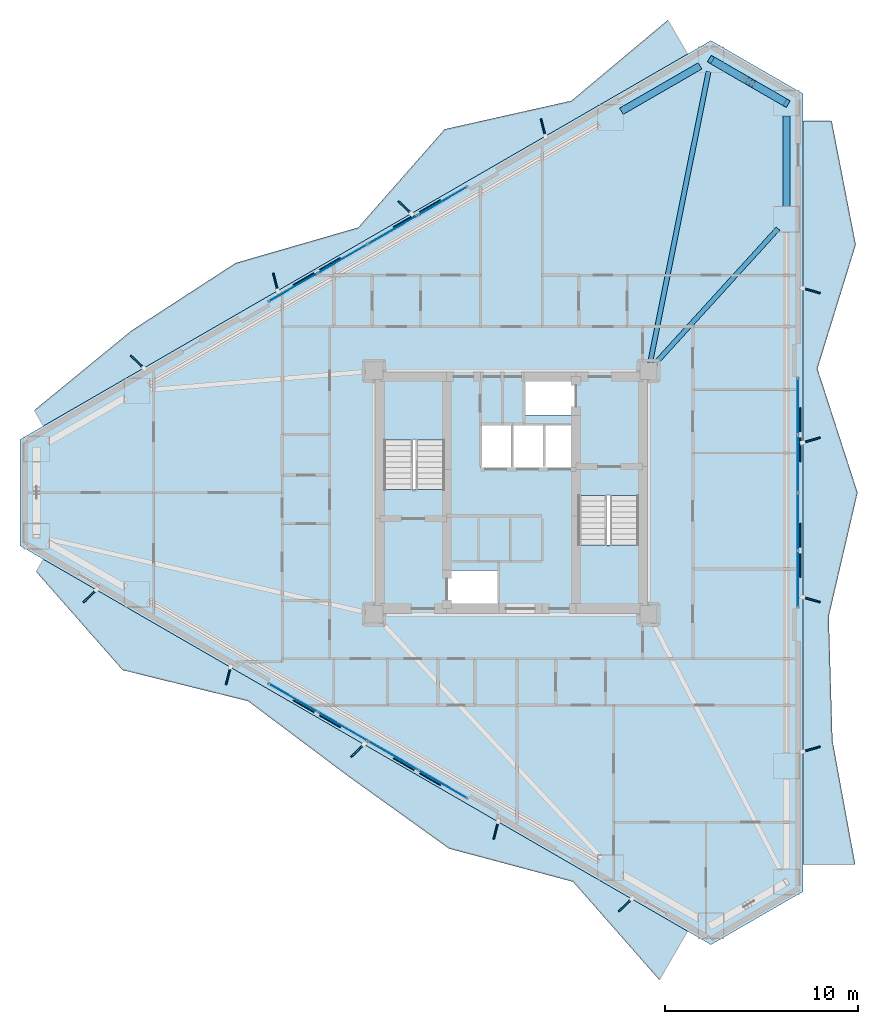
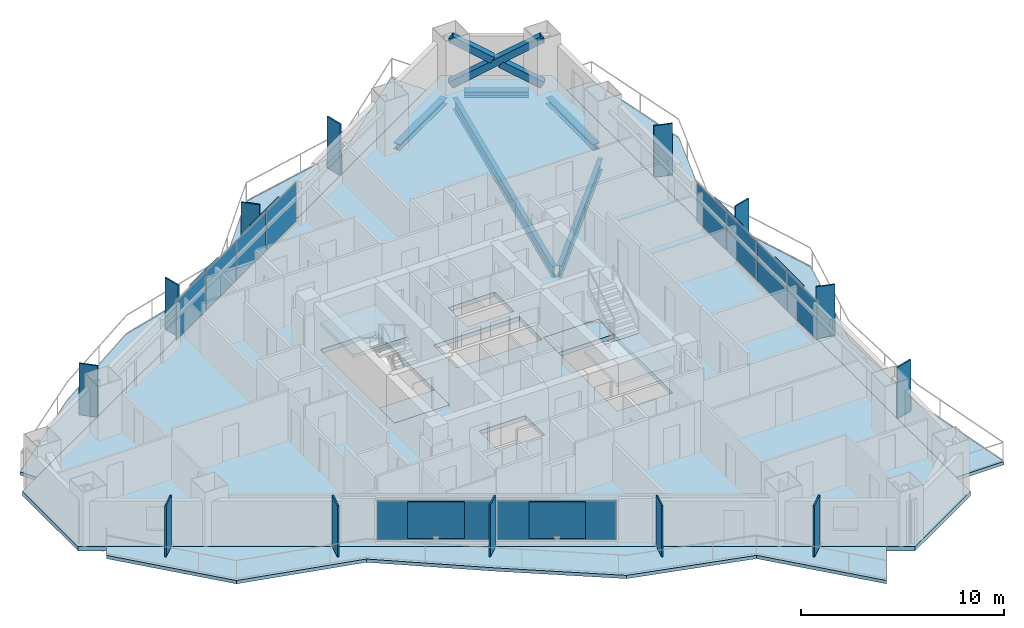
# One storey, part 10 of 19: 31 plates, 8 slabs, 5 beams, 3 members, 5 elements without a shape of their own.
"""IFC4 building model written with IfcOpenShell, lengths in metres."""

import ifcopenshell
import ifcopenshell.guid

model = None  # the IFC model being written
_history = None  # IfcOwnerHistory: only IFC2X3 demands one
_inside = {}  # id of a spatial element -> (the spatial element, [elements in it])
_under = {}  # id of a project, library or spatial element -> (it, [spatial elements below it])
_declared = {}  # id of a project -> (the project, [libraries it declares])
_typed = {}  # id of a type object -> (the type object, [elements of that type])
_made_of = {}  # id of a material, layer set ... -> (it, [elements and type objects made of it])


def new_model(schema):
    """Start an empty IFC model of exactly this schema.

    Asked for "IFC4X3", IfcOpenShell would pick the latest addendum, in which some entities
    have other attributes; the version numbers below select the first issue.
    IFC2X3 requires an IfcOwnerHistory on every rooted entity: one is made here for all.
    """
    global model, _history
    if schema == "IFC4X3":
        model = ifcopenshell.file(schema_version=(4, 3, 0, 0))
    else:
        model = ifcopenshell.file(schema=schema)
    _inside.clear()
    _under.clear()
    _declared.clear()
    _typed.clear()
    _made_of.clear()
    _history = None
    if model.schema == "IFC2X3":
        org = make("IfcOrganization", Name="unknown")
        user = make(
            "IfcPersonAndOrganization",
            ThePerson=make("IfcPerson", FamilyName="unknown"),
            TheOrganization=org,
        )
        app = make(
            "IfcApplication",
            ApplicationDeveloper=org,
            Version="unknown",
            ApplicationFullName="unknown",
            ApplicationIdentifier="unknown",
        )
        _history = make(
            "IfcOwnerHistory",
            OwningUser=user,
            OwningApplication=app,
            ChangeAction="ADDED",
            CreationDate=0,
        )
    return model


def make(cls, **values):
    """One entity of the class cls with the attributes given. An attribute that is None is left unset."""
    return model.create_entity(
        cls, **{name: value for name, value in values.items() if value is not None}
    )


def rooted(cls, **values):
    """An entity with a GlobalId (a new one), such as an element, a storey or a relation."""
    return make(cls, GlobalId=ifcopenshell.guid.new(), OwnerHistory=_history, **values)


def si_unit(unit_type, name, prefix=None):
    """IfcSIUnit, for example si_unit("LENGTHUNIT", "METRE", prefix="MILLI")."""
    return make("IfcSIUnit", UnitType=unit_type, Prefix=prefix, Name=name)


def assignment(units):
    """IfcUnitAssignment: the units of a project."""
    return None if units is None else make("IfcUnitAssignment", Units=units)


def point(xyz):
    """IfcCartesianPoint."""
    return None if xyz is None else make("IfcCartesianPoint", Coordinates=xyz)


def direction(xyz):
    """IfcDirection."""
    return None if xyz is None else make("IfcDirection", DirectionRatios=xyz)


def frame(location, z_axis=None, x_axis=None):
    """IfcAxis2Placement3D, a coordinate frame: its origin and axes. An axis left out is left unset."""
    return make(
        "IfcAxis2Placement3D",
        Location=point(location),
        Axis=direction(z_axis),
        RefDirection=direction(x_axis),
    )


def frame_2d(location, x_axis=None):
    """IfcAxis2Placement2D, a coordinate frame in the plane: its origin and x axis."""
    return make(
        "IfcAxis2Placement2D", Location=point(location), RefDirection=direction(x_axis)
    )


def origin():
    """The frame at (0, 0, 0) with its axes left unset."""
    return frame((0.0, 0.0, 0.0))


def origin_2d():
    """The frame at (0, 0) in the plane with its x axis left unset."""
    return frame_2d((0.0, 0.0))


def place(relative_to, where):
    """IfcLocalPlacement: puts the frame where relative to a parent placement (None: the world)."""
    return make(
        "IfcLocalPlacement", PlacementRelTo=relative_to, RelativePlacement=where
    )


def context(
    kind, dimensions, precision=None, world=None, true_north=None, identifier=None
):
    """IfcGeometricRepresentationContext, for example the 3D "Model" context."""
    return make(
        "IfcGeometricRepresentationContext",
        ContextIdentifier=identifier,
        ContextType=kind,
        CoordinateSpaceDimension=dimensions,
        Precision=precision,
        WorldCoordinateSystem=world,
        TrueNorth=true_north,
    )


def subcontext(parent, identifier, kind, view, scale=None):
    """IfcGeometricRepresentationSubContext, for example "Body" below "Model"."""
    return make(
        "IfcGeometricRepresentationSubContext",
        ContextIdentifier=identifier,
        ContextType=kind,
        ParentContext=parent,
        TargetScale=scale,
        TargetView=view,
    )


def project(units=None, contexts=None):
    """IfcProject with its units and contexts."""
    return rooted(
        "IfcProject",
        Name="project",
        RepresentationContexts=contexts,
        UnitsInContext=assignment(units),
    )


def spatial(cls, under=None, at=None, **own):
    """A site, building, storey or space (cls), placed at a placement, below another one or the project."""
    s = rooted(cls, ObjectPlacement=at, **own)
    if under is not None:
        _under.setdefault(under.id(), (under, []))[1].append(s)
    return s


def polyline(points):
    """IfcPolyline through the points."""
    return make("IfcPolyline", Points=[point(p) for p in points])


def profile(cls, at=None, kind="AREA", **sizes):
    """A parametric profile (cls). Its sizes go by their IFC names, for example OverallWidth=200.0."""
    return make(cls, ProfileType=kind, Position=at, **sizes)


def rectangle(**sizes):
    """IfcRectangleProfileDef."""
    return profile("IfcRectangleProfileDef", **sizes)


def hollow_rectangle(**sizes):
    """IfcRectangleHollowProfileDef."""
    return profile("IfcRectangleHollowProfileDef", **sizes)


def i_section(**sizes):
    """IfcIShapeProfileDef."""
    return profile("IfcIShapeProfileDef", **sizes)


def outline(outer, holes=None, kind="AREA"):
    """IfcArbitraryClosedProfileDef: a profile drawn as a closed curve; with holes, ...WithVoids."""
    if holes is None:
        return make("IfcArbitraryClosedProfileDef", ProfileType=kind, OuterCurve=outer)
    return make(
        "IfcArbitraryProfileDefWithVoids",
        ProfileType=kind,
        OuterCurve=outer,
        InnerCurves=holes,
    )


def extrude(swept, where, along, depth):
    """IfcExtrudedAreaSolid: the profile swept, set in the frame where, extruded along a direction by depth."""
    return make(
        "IfcExtrudedAreaSolid",
        SweptArea=swept,
        Position=where,
        ExtrudedDirection=direction(along),
        Depth=depth,
    )


def shape(context_of_items, identifier, shape_type, items):
    """IfcShapeRepresentation: the items that make up one representation, for example the "Body"."""
    return make(
        "IfcShapeRepresentation",
        ContextOfItems=context_of_items,
        RepresentationIdentifier=identifier,
        RepresentationType=shape_type,
        Items=items,
    )


def material(Name=None, Category=None):
    """IfcMaterial."""
    return make("IfcMaterial", Name=Name, Category=Category)


def layer(
    of_material, thickness, ventilated=None, Name=None, Category=None, Priority=None
):
    """IfcMaterialLayer: one layer of a wall or slab, of a material (None: an air gap)."""
    return make(
        "IfcMaterialLayer",
        Material=of_material,
        LayerThickness=thickness,
        IsVentilated=ventilated,
        Name=Name,
        Category=Category,
        Priority=Priority,
    )


def layer_set(layers, Name=None):
    """IfcMaterialLayerSet."""
    return make("IfcMaterialLayerSet", MaterialLayers=layers, LayerSetName=Name)


def material_profile(
    of_material, cross_section, Name=None, Category=None, Priority=None
):
    """IfcMaterialProfile: a cross section and its material."""
    return make(
        "IfcMaterialProfile",
        Name=Name,
        Material=of_material,
        Profile=cross_section,
        Priority=Priority,
        Category=Category,
    )


def profile_set(profiles, Name=None, composite=None):
    """IfcMaterialProfileSet."""
    return make(
        "IfcMaterialProfileSet",
        Name=Name,
        MaterialProfiles=profiles,
        CompositeProfile=composite,
    )


def made_of(thing, what):
    """Note that an element or type object is made of a material, layer set ...; save() writes the relation."""
    if what is not None:
        _made_of.setdefault(what.id(), (what, []))[1].append(thing)
    return thing


def type_object(cls, material=None, **own):
    """A type object (cls), such as IfcWallType, which elements share."""
    return made_of(rooted(cls, **own), material)


def element(
    cls,
    number,
    at=None,
    inside=None,
    cuts=None,
    type_object=None,
    material=None,
    context=None,
    identifier="Body",
    shape_type=None,
    held_by="IfcProductDefinitionShape",
    body=None,
    shapes=None,
    **own,
):
    """One element of the class cls, such as IfcWall. Its Tag is "e" and its number.

    at: its placement. inside: the storey or other place that contains it. cuts: it is an
    opening in that element (IfcRelVoidsElement). A single representation is given by context,
    identifier, shape_type and body (its items); several are given by shapes. held_by: the class
    of the entity that holds the representations. save() writes the other relations.
    """
    e = rooted(cls, Tag="e%d" % number, ObjectPlacement=at, **own)
    if body is not None:
        shapes = [shape(context, identifier, shape_type, body)]
    if shapes is not None:
        e.Representation = make(held_by, Representations=shapes)
    if inside is not None:
        _inside.setdefault(inside.id(), (inside, []))[1].append(e)
    if cuts is not None:
        rooted(
            "IfcRelVoidsElement", RelatingBuildingElement=cuts, RelatedOpeningElement=e
        )
    if type_object is not None:
        _typed.setdefault(type_object.id(), (type_object, []))[1].append(e)
    return made_of(e, material)


def aggregate(whole, parts):
    """IfcRelAggregates: a whole, such as a stair, and the parts it consists of."""
    return rooted("IfcRelAggregates", RelatingObject=whole, RelatedObjects=parts)


def save(model, path):
    """Write the relations noted so far, then the file.

    IfcRelAggregates (storeys below a building ...), IfcRelContainedInSpatialStructure (elements
    in a storey), IfcRelDefinesByType, IfcRelAssociatesMaterial and IfcRelDeclares: one each for
    every whole, place, type object, material and project.
    """
    for whole, parts in _under.values():
        aggregate(whole, parts)
    for where, things in _inside.values():
        rooted(
            "IfcRelContainedInSpatialStructure",
            RelatedElements=things,
            RelatingStructure=where,
        )
    for kind, things in _typed.values():
        rooted("IfcRelDefinesByType", RelatedObjects=things, RelatingType=kind)
    for what, things in _made_of.values():
        rooted("IfcRelAssociatesMaterial", RelatedObjects=things, RelatingMaterial=what)
    for by, libraries in _declared.values():
        rooted("IfcRelDeclares", RelatingContext=by, RelatedDefinitions=libraries)
    model.write(path)


model = new_model("IFC4")

# Units and contexts
model_context = context("Model", 3, precision=1e-05, world=origin(), true_north=direction((0.0, 1.0)))
body_context = subcontext(model_context, "Body", "Model", "MODEL_VIEW")
ifc_project = project(units=[si_unit("LENGTHUNIT", "METRE"), si_unit("AREAUNIT", "SQUARE_METRE"), si_unit("VOLUMEUNIT", "CUBIC_METRE"), si_unit("PLANEANGLEUNIT", "RADIAN"), si_unit("MASSUNIT", "GRAM", prefix="KILO")], contexts=[model_context])

# Site, building, storey
site_placement = place(None, origin())
site = spatial("IfcSite", under=ifc_project, at=site_placement, CompositionType="ELEMENT")
building_placement = place(site_placement, origin())
building = spatial("IfcBuilding", under=site, at=building_placement, Name="Mersakhor Tower and Convention Hall", CompositionType="ELEMENT")
storey_placement = place(building_placement, frame((0.0, 0.0, 48.89990234375)))
storey = spatial("IfcBuildingStorey", under=building, at=storey_placement, Name="L13", CompositionType="ELEMENT", Elevation=48.89990234375)

# Beams
ifc_material_1 = material(Name="Steel S355", Category="steel")
ifc_material_profile_1 = material_profile(ifc_material_1, i_section(OverallWidth=0.25439453125, OverallDepth=0.6875, WebThickness=0.01318359375, FlangeThickness=0.02099609375, at=origin_2d()), Name="UB 686x254x152")
ifc_profile_set_1 = profile_set([ifc_material_profile_1], Name="Steel S355")
beam_type_1 = type_object("IfcBeamType", Name="BM-PR-686", PredefinedType="BEAM", material=ifc_profile_set_1)
beam_1_placement = place(storey_placement, frame((36.1845703125, 33.4716796875, -0.603515625), z_axis=(0.196849718138, 0.980433673672, 0.0), x_axis=(-0.980433673672, 0.196849718138, 0.0)))
element("IfcBeam", 1, at=beam_1_placement, inside=storey, type_object=beam_type_1, Name="L13 Primary Floor Girder FG-2", PredefinedType="BEAM", context=body_context, shape_type="SweptSolid", body=[
    extrude(i_section(OverallWidth=0.25439453125, OverallDepth=0.6875, WebThickness=0.01318359375, FlangeThickness=0.02099609375, at=origin_2d()), origin(), (0.0, 0.0, 1.0), 15.359130859375),
])
beam_2_placement = place(storey_placement, frame((36.389404296875, 33.367919921875, -0.603515625), z_axis=(0.67316322447, 0.739493930483, 0.0), x_axis=(-0.739493930483, 0.67316322447, 0.0)))
element("IfcBeam", 2, at=beam_2_placement, inside=storey, type_object=beam_type_1, Name="L13 Primary Floor Girder FG-3", PredefinedType="BEAM", context=body_context, shape_type="SweptSolid", body=[
    extrude(i_section(OverallWidth=0.25439453125, OverallDepth=0.6875, WebThickness=0.01318359375, FlangeThickness=0.02099609375, at=origin_2d()), origin(), (0.0, 0.0, 1.0), 9.53662109375),
])
ifc_material_2 = material(Name="Steel S355", Category="steel")
ifc_material_profile_2 = material_profile(ifc_material_2, i_section(OverallWidth=0.374755859375, OverallDepth=0.37451171875, WebThickness=0.0166015625, FlangeThickness=0.027099609375, at=origin_2d()), Name="UC 356x368x202")
ifc_profile_set_2 = profile_set([ifc_material_profile_2], Name="Steel S355")
beam_type_2 = type_object("IfcBeamType", Name="BM-SPD-UC356", PredefinedType="SPANDREL", material=ifc_profile_set_2)
beam_3_placement = place(storey_placement, frame((34.700439453125, 46.49560546875, -0.447265625), z_axis=(0.866031574723, 0.499989311469, 0.0), x_axis=(-0.499989311469, 0.866031574723, 0.0)))
element("IfcBeam", 3, at=beam_3_placement, inside=storey, type_object=beam_type_2, Name="L13 Perimeter Spandrel Beam SPB-03", PredefinedType="SPANDREL", context=body_context, shape_type="SweptSolid", body=[
    extrude(i_section(OverallWidth=0.374755859375, OverallDepth=0.37451171875, WebThickness=0.0166015625, FlangeThickness=0.027099609375, at=origin_2d()), origin(), (0.0, 0.0, 1.0), 4.69873046875),
])
beam_4_placement = place(storey_placement, frame((39.904052734375, 48.844970703125, -0.447265625), z_axis=(0.866038607556, -0.4999771297, 0.0), x_axis=(0.4999771297, 0.866038607556, 0.0)))
element("IfcBeam", 4, at=beam_4_placement, inside=storey, type_object=beam_type_2, Name="L13 Perimeter Spandrel Beam SPB-04", PredefinedType="SPANDREL", context=body_context, shape_type="SweptSolid", body=[
    extrude(i_section(OverallWidth=0.374755859375, OverallDepth=0.37451171875, WebThickness=0.0166015625, FlangeThickness=0.027099609375, at=origin_2d()), origin(), (0.0, 0.0, 1.0), 3.208740234375),
])
beam_5_placement = place(storey_placement, frame((43.25, 46.25830078125, -0.447265625), z_axis=(0.0, -1.0, 0.0), x_axis=(1.0, 0.0, 0.0)))
element("IfcBeam", 5, at=beam_5_placement, inside=storey, type_object=beam_type_2, Name="L13 Perimeter Spandrel Beam SPB-05", PredefinedType="SPANDREL", context=body_context, shape_type="SweptSolid", body=[
    extrude(i_section(OverallWidth=0.374755859375, OverallDepth=0.37451171875, WebThickness=0.0166015625, FlangeThickness=0.027099609375, at=origin_2d()), origin(), (0.0, 0.0, 1.0), 4.69873046875),
])

# Members
ifc_material_3 = material(Name="Steel S460", Category="steel")
ifc_material_profile_3 = material_profile(ifc_material_3, hollow_rectangle(XDim=0.39990234375, YDim=0.39990234375, WallThickness=0.02490234375, at=origin_2d()), Name="SHS 400x400x25")
ifc_profile_set_3 = profile_set([ifc_material_profile_3], Name="Steel S460")
member_type = type_object("IfcMemberType", Name="MB-BRC-SHS400", PredefinedType="BRACE", material=ifc_profile_set_3)
member_1_placement = place(storey_placement, frame((39.3369140625, 49.172607421875, 0.150146484375), z_axis=(0.740507772322, -0.427542982597, 0.518512523632), x_axis=(0.500009315796, 0.86602002524, 0.0)))
element("IfcMember", 6, at=member_1_placement, inside=storey, type_object=member_type, Name="L13 Chamfer Braced Frame Diagonal CB-1A", PredefinedType="BRACE", context=body_context, shape_type="SweptSolid", body=[
    extrude(hollow_rectangle(XDim=0.39990234375, YDim=0.39990234375, WallThickness=0.02490234375, at=origin_2d()), origin(), (0.0, 0.0, 1.0), 5.284423828125),
])
member_2_placement = place(storey_placement, frame((43.25, 46.913330078125, 0.150146484375), z_axis=(-0.740544200614, 0.427541122117, 0.51846202931), x_axis=(-0.499989236795, -0.866031617834, 0.0)))
element("IfcMember", 7, at=member_2_placement, inside=storey, type_object=member_type, Name="L13 Chamfer Braced Frame Diagonal CB-1B Lower Half", PredefinedType="BRACE", context=body_context, shape_type="SweptSolid", body=[
    extrude(hollow_rectangle(XDim=0.39990234375, YDim=0.39990234375, WallThickness=0.02490234375, at=origin_2d()), origin(), (0.0, 0.0, 1.0), 2.40869140625),
])
member_3_placement = place(storey_placement, frame((41.12060546875, 48.142578125, 1.64111328125), z_axis=(-0.740473193976, 0.427601478974, 0.51851366827), x_axis=(-0.500078132948, -0.865980289006, 0.0)))
element("IfcMember", 8, at=member_3_placement, inside=storey, type_object=member_type, Name="L13 Chamfer Braced Frame Diagonal CB-1B Upper Half", PredefinedType="BRACE", context=body_context, shape_type="SweptSolid", body=[
    extrude(hollow_rectangle(XDim=0.39990234375, YDim=0.39990234375, WallThickness=0.02490234375, at=origin_2d()), origin(), (0.0, 0.0, 1.0), 2.408935546875),
])

# Curtain wall, plates
ifc_material_4 = material(Name="Dark solar low-E aluminium curtain wall", Category="aluminium")
ifc_layer_1 = layer(ifc_material_4, 0.159912109375)
ifc_layer_set_1 = layer_set([ifc_layer_1], Name="Dark solar low-E aluminium curtain wall")
curtain_wall_type = type_object("IfcCurtainWallType", Name="CW-SYS-01", PredefinedType="USERDEFINED", material=ifc_layer_set_1)
curtain_wall_1_placement = place(storey_placement, origin())
curtain_wall_1 = element("IfcCurtainWall", 9, at=curtain_wall_1_placement, inside=storey, type_object=curtain_wall_type, Name="L13 Dark-Glass Curtain Wall F1-B2", ObjectType="CURTAIN WALL", PredefinedType="USERDEFINED")
ifc_material_5 = material(Name="Dark solar double glazing", Category="glass")
ifc_layer_2 = layer(ifc_material_5, 0.02392578125)
ifc_layer_set_2 = layer_set([ifc_layer_2], Name="Dark solar double glazing")
plate_type_1 = type_object("IfcPlateType", Name="CWP-GLZ-24", PredefinedType="CURTAIN_PANEL", material=ifc_layer_set_2)
plate_1_placement = place(storey_placement, frame((17.702880859375, 37.375, 0.26025390625), z_axis=(0.0, 0.0, 1.0), x_axis=(0.866023412558, 0.50000344889, 0.0)))
plate_1 = element("IfcPlate", 10, at=plate_1_placement, type_object=plate_type_1, Name="CW-01 panel 1.1", PredefinedType="CURTAIN_PANEL", context=body_context, shape_type="SweptSolid", body=[
    extrude(rectangle(XDim=2.880859375, YDim=0.02392578125, at=origin_2d()), origin(), (0.0, 0.0, 1.0), 2.340087890625),
])
plate_2_placement = place(storey_placement, frame((20.27880859375, 38.862060546875, 0.26025390625), z_axis=(0.0, 0.0, 1.0), x_axis=(0.866023412558, 0.50000344889, 0.0)))
plate_2 = element("IfcPlate", 11, at=plate_2_placement, type_object=plate_type_1, Name="CW-01 panel 2.1", PredefinedType="CURTAIN_PANEL", context=body_context, shape_type="SweptSolid", body=[
    extrude(rectangle(XDim=2.918212890625, YDim=0.02392578125, at=origin_2d()), origin(), (0.0, 0.0, 1.0), 2.340087890625),
])
plate_3_placement = place(storey_placement, frame((22.87109375, 40.35888671875, 0.26025390625), z_axis=(0.0, 0.0, 1.0), x_axis=(0.866023412558, 0.50000344889, 0.0)))
plate_3 = element("IfcPlate", 12, at=plate_3_placement, type_object=plate_type_1, Name="CW-01 panel 3.1", PredefinedType="CURTAIN_PANEL", context=body_context, shape_type="SweptSolid", body=[
    extrude(rectangle(XDim=2.918212890625, YDim=0.02392578125, at=origin_2d()), origin(), (0.0, 0.0, 1.0), 2.340087890625),
])
plate_4_placement = place(storey_placement, frame((25.447021484375, 41.84619140625, 0.26025390625), z_axis=(0.0, 0.0, 1.0), x_axis=(0.866023412558, 0.50000344889, 0.0)))
plate_4 = element("IfcPlate", 13, at=plate_4_placement, type_object=plate_type_1, Name="CW-01 panel 4.1", PredefinedType="CURTAIN_PANEL", context=body_context, shape_type="SweptSolid", body=[
    extrude(rectangle(XDim=2.880859375, YDim=0.02392578125, at=origin_2d()), origin(), (0.0, 0.0, 1.0), 2.340087890625),
])
aggregate(curtain_wall_1, [plate_1, plate_2, plate_3, plate_4])

curtain_wall_2_placement = place(storey_placement, origin())
curtain_wall_2 = element("IfcCurtainWall", 14, at=curtain_wall_2_placement, inside=storey, type_object=curtain_wall_type, Name="L13 Dark-Glass Curtain Wall F2-B2", ObjectType="CURTAIN WALL", PredefinedType="USERDEFINED")
plate_5_placement = place(storey_placement, frame((43.85009765625, 31.22119140625, 0.26025390625), z_axis=(0.0, 0.0, 1.0), x_axis=(0.0, -1.0, 0.0)))
plate_5 = element("IfcPlate", 15, at=plate_5_placement, type_object=plate_type_1, Name="CW-01 panel 1.1", PredefinedType="CURTAIN_PANEL", context=body_context, shape_type="SweptSolid", body=[
    extrude(rectangle(XDim=2.880859375, YDim=0.02392578125, at=origin_2d()), origin(), (0.0, 0.0, 1.0), 2.340087890625),
])
plate_6_placement = place(storey_placement, frame((43.85009765625, 28.24658203125, 0.26025390625), z_axis=(0.0, 0.0, 1.0), x_axis=(0.0, -1.0, 0.0)))
plate_6 = element("IfcPlate", 16, at=plate_6_placement, type_object=plate_type_1, Name="CW-01 panel 2.1", PredefinedType="CURTAIN_PANEL", context=body_context, shape_type="SweptSolid", body=[
    extrude(rectangle(XDim=2.918212890625, YDim=0.02392578125, at=origin_2d()), origin(), (0.0, 0.0, 1.0), 2.340087890625),
])
plate_7_placement = place(storey_placement, frame((43.85009765625, 25.25341796875, 0.26025390625), z_axis=(0.0, 0.0, 1.0), x_axis=(0.0, -1.0, 0.0)))
plate_7 = element("IfcPlate", 17, at=plate_7_placement, type_object=plate_type_1, Name="CW-01 panel 3.1", PredefinedType="CURTAIN_PANEL", context=body_context, shape_type="SweptSolid", body=[
    extrude(rectangle(XDim=2.918212890625, YDim=0.02392578125, at=origin_2d()), origin(), (0.0, 0.0, 1.0), 2.340087890625),
])
plate_8_placement = place(storey_placement, frame((43.85009765625, 22.27880859375, 0.26025390625), z_axis=(0.0, 0.0, 1.0), x_axis=(0.0, -1.0, 0.0)))
plate_8 = element("IfcPlate", 18, at=plate_8_placement, type_object=plate_type_1, Name="CW-01 panel 4.1", PredefinedType="CURTAIN_PANEL", context=body_context, shape_type="SweptSolid", body=[
    extrude(rectangle(XDim=2.880859375, YDim=0.02392578125, at=origin_2d()), origin(), (0.0, 0.0, 1.0), 2.340087890625),
])
aggregate(curtain_wall_2, [plate_5, plate_6, plate_7, plate_8])

curtain_wall_3_placement = place(storey_placement, origin())
curtain_wall_3 = element("IfcCurtainWall", 19, at=curtain_wall_3_placement, inside=storey, type_object=curtain_wall_type, Name="L13 Dark-Glass Curtain Wall F3-B2", ObjectType="CURTAIN WALL", PredefinedType="USERDEFINED")
plate_9_placement = place(storey_placement, frame((25.447021484375, 11.65380859375, 0.26025390625), z_axis=(0.0, 0.0, 1.0), x_axis=(-0.866023412558, 0.50000344889, 0.0)))
plate_9 = element("IfcPlate", 20, at=plate_9_placement, type_object=plate_type_1, Name="CW-01 panel 1.1", PredefinedType="CURTAIN_PANEL", context=body_context, shape_type="SweptSolid", body=[
    extrude(rectangle(XDim=2.880859375, YDim=0.02392578125, at=origin_2d()), origin(), (0.0, 0.0, 1.0), 2.340087890625),
])
plate_10_placement = place(storey_placement, frame((22.87109375, 13.14111328125, 0.26025390625), z_axis=(0.0, 0.0, 1.0), x_axis=(-0.866023412558, 0.50000344889, 0.0)))
plate_10 = element("IfcPlate", 21, at=plate_10_placement, type_object=plate_type_1, Name="CW-01 panel 2.1", PredefinedType="CURTAIN_PANEL", context=body_context, shape_type="SweptSolid", body=[
    extrude(rectangle(XDim=2.918212890625, YDim=0.02392578125, at=origin_2d()), origin(), (0.0, 0.0, 1.0), 2.340087890625),
])
plate_11_placement = place(storey_placement, frame((20.27880859375, 14.637939453125, 0.26025390625), z_axis=(0.0, 0.0, 1.0), x_axis=(-0.866023412558, 0.50000344889, 0.0)))
plate_11 = element("IfcPlate", 22, at=plate_11_placement, type_object=plate_type_1, Name="CW-01 panel 3.1", PredefinedType="CURTAIN_PANEL", context=body_context, shape_type="SweptSolid", body=[
    extrude(rectangle(XDim=2.918212890625, YDim=0.02392578125, at=origin_2d()), origin(), (0.0, 0.0, 1.0), 2.340087890625),
])
plate_12_placement = place(storey_placement, frame((17.702880859375, 16.125, 0.26025390625), z_axis=(0.0, 0.0, 1.0), x_axis=(-0.866023412558, 0.50000344889, 0.0)))
plate_12 = element("IfcPlate", 23, at=plate_12_placement, type_object=plate_type_1, Name="CW-01 panel 4.1", PredefinedType="CURTAIN_PANEL", context=body_context, shape_type="SweptSolid", body=[
    extrude(rectangle(XDim=2.880859375, YDim=0.02392578125, at=origin_2d()), origin(), (0.0, 0.0, 1.0), 2.340087890625),
])
aggregate(curtain_wall_3, [plate_9, plate_10, plate_11, plate_12])

# Plates
ifc_material_6 = material(Name="Ceramic-clad aluminium Zone 1 cobalt-slate", Category="masonry")
ifc_material_7 = material(Name="Ceramic-clad aluminium Zone 1 cobalt-slate", Category="masonry")
ifc_layer_3 = layer(ifc_material_7, 0.080078125)
ifc_layer_set_3 = layer_set([ifc_layer_3], Name="Ceramic-clad aluminium Zone 1 cobalt-slate")
plate_type_2 = type_object("IfcPlateType", Name="PL-FIN-80", PredefinedType="USERDEFINED", material=ifc_layer_set_3)
for number, where, z_axis, x_axis, name in (
    (24, (9.639892578125, 33.5126953125, 0.0), (0.0, 0.0, 1.0), (-0.719339800339, 0.694658370459, 0.0), "L13 Zone 1 Coloured Brise-Soleil Fin F1-1"),
    (25, (16.794921875, 37.6435546875, 0.0), (0.0, 0.0, 1.0), (-0.2419218956, 0.970295726276, 0.0), "L13 Zone 1 Coloured Brise-Soleil Fin F1-2"),
    (26, (23.496337890625, 41.5126953125, 0.0), (0.0, 0.0, 1.0), (-0.719339800339, 0.694658370459, 0.0), "L13 Zone 1 Coloured Brise-Soleil Fin F1-3"),
    (27, (30.6513671875, 45.6435546875, 0.0), (0.0, 0.0, 1.0), (-0.2419218956, 0.970295726276, 0.0), "L13 Zone 1 Coloured Brise-Soleil Fin F1-4"),
    (28, (44.53662109375, 37.206298828125, 0.0), (0.0, 0.0, 1.0), (0.961261695938, -0.275637355817, 0.0), "L13 Zone 1 Coloured Brise-Soleil Fin F2-1"),
    (29, (44.53662109375, 29.46826171875, 0.0), (0.0, 0.0, 1.0), (0.961261695938, 0.275637355817, 0.0), "L13 Zone 1 Coloured Brise-Soleil Fin F2-2"),
    (30, (44.53662109375, 21.206298828125, 0.0), (0.0, 0.0, 1.0), (0.961261695938, -0.275637355817, 0.0), "L13 Zone 1 Coloured Brise-Soleil Fin F2-3"),
    (31, (44.53662109375, 13.46826171875, 0.0), (0.0, 0.0, 1.0), (0.961261695938, 0.275637355817, 0.0), "L13 Zone 1 Coloured Brise-Soleil Fin F2-4"),
    (32, (34.906005859375, 5.39990234375, 0.0), (0.0, 0.0, 1.0), (-0.719339800339, -0.694658370459, 0.0), "L13 Zone 1 Coloured Brise-Soleil Fin F3-1"),
    (33, (28.20458984375, 9.26904296875, 0.0), (0.0, 0.0, 1.0), (-0.2419218956, -0.970295726276, 0.0), "L13 Zone 1 Coloured Brise-Soleil Fin F3-2"),
    (34, (21.049560546875, 13.39990234375, 0.0), (0.0, 0.0, 1.0), (-0.719339800339, -0.694658370459, 0.0), "L13 Zone 1 Coloured Brise-Soleil Fin F3-3"),
    (35, (14.34814453125, 17.26904296875, 0.0), (0.0, 0.0, 1.0), (-0.2419218956, -0.970295726276, 0.0), "L13 Zone 1 Coloured Brise-Soleil Fin F3-4"),
    (36, (7.193115234375, 21.39990234375, 0.0), (0.0, 0.0, 1.0), (-0.719339800339, -0.694658370459, 0.0), "L13 Zone 1 Coloured Brise-Soleil Fin F3-5"),
):
    element("IfcPlate", number, at=place(storey_placement, frame(where, z_axis=z_axis, x_axis=x_axis)), inside=storey, type_object=plate_type_2, material=ifc_material_6, Name=name, ObjectType="FIN", PredefinedType="USERDEFINED", context=body_context, shape_type="SweptSolid", body=[
        extrude(rectangle(XDim=0.949951171875, YDim=0.080078125, at=origin_2d()), origin(), (0.0, 0.0, 1.0), 3.10009765625),
    ])
ifc_material_8 = material(Name="Perforated ceramic cobogo solar screen", Category="aluminium")
ifc_layer_4 = layer(ifc_material_8, 0.055908203125)
ifc_layer_set_4 = layer_set([ifc_layer_4], Name="Perforated ceramic cobogo solar screen")
plate_type_3 = type_object("IfcPlateType", Name="PL-SCR-56", PredefinedType="USERDEFINED", material=ifc_layer_set_4)
for number, where, z_axis, x_axis, name in (
    (37, (18.933837890625, 38.19873046875, 0.400146484375), (0.0, 0.0, 1.0), (0.866025403784, 0.5, 0.0), "L13 Perforated Ceramic Solar Screen F1-1"),
    (38, (24.118408203125, 41.19189453125, 0.400146484375), (0.0, 0.0, 1.0), (0.866025403784, 0.5, 0.0), "L13 Perforated Ceramic Solar Screen F1-2"),
    (39, (43.947998046875, 29.743408203125, 0.400146484375), (0.0, 0.0, 1.0), (0.0, -1.0, 0.0), "L13 Perforated Ceramic Solar Screen F2-1"),
    (40, (43.947998046875, 23.756591796875, 0.400146484375), (0.0, 0.0, 1.0), (0.0, -1.0, 0.0), "L13 Perforated Ceramic Solar Screen F2-2"),
    (41, (24.1181640625, 12.30810546875, 0.400146484375), (0.0, 0.0, 1.0), (-0.866025403784, 0.5, 0.0), "L13 Perforated Ceramic Solar Screen F3-1"),
    (42, (18.93359375, 15.30126953125, 0.400146484375), (0.0, 0.0, 1.0), (-0.866025403784, 0.5, 0.0), "L13 Perforated Ceramic Solar Screen F3-2"),
):
    element("IfcPlate", number, at=place(storey_placement, frame(where, z_axis=z_axis, x_axis=x_axis)), inside=storey, type_object=plate_type_3, Name=name, ObjectType="SCREEN", PredefinedType="USERDEFINED", context=body_context, shape_type="SweptSolid", body=[
        extrude(rectangle(XDim=2.800048828125, YDim=0.055908203125, at=origin_2d()), origin(), (0.0, 0.0, 1.0), 2.2099609375),
    ])

# Slabs
ifc_material_9 = material(Name="Concrete C45/55", Category="concrete")
ifc_layer_5 = layer(ifc_material_9, 0.199951171875)
ifc_layer_set_5 = layer_set([ifc_layer_5], Name="Concrete C45/55")
slab_type_1 = type_object("IfcSlabType", Name="SL-BAL-200", PredefinedType="FLOOR", material=ifc_layer_set_5)
slab_1_placement = place(storey_placement, frame((0.0, 0.0, -0.199951171875)))
element("IfcSlab", 43, at=slab_1_placement, inside=storey, type_object=slab_type_1, Name="L13 Sinusoidal Balcony Slab Face 1", PredefinedType="FLOOR", context=body_context, shape_type="SweptSolid", body=[
    extrude(outline(polyline([(4.775390625, 30.199951171875), (38.12451171875, 49.4541015625), (37.1044921875, 51.220458984375), (32.10888671875, 47.037109375), (25.548095703125, 45.564697265625), (21.074951171875, 40.4765625), (14.724853515625, 38.639404296875), (9.334716796875, 35.13916015625), (4.30322265625, 31.017822265625), (4.775390625, 30.199951171875)])), origin(), (0.0, 0.0, 1.0), 0.199951171875),
])
slab_2_placement = place(storey_placement, frame((0.0, 0.0, -0.199951171875)))
element("IfcSlab", 44, at=slab_2_placement, inside=storey, type_object=slab_type_1, Name="L13 Sinusoidal Balcony Slab Face 2", PredefinedType="FLOOR", context=body_context, shape_type="SweptSolid", body=[
    extrude(outline(polyline([(44.10009765625, 46.00390625), (44.10009765625, 7.49609375), (46.80712890625, 7.49609375), (45.62841796875, 13.9140625), (45.4345703125, 20.33203125), (46.928466796875, 26.75), (44.85009765625, 33.16796875), (46.8349609375, 39.5859375), (45.5869140625, 46.00390625), (44.10009765625, 46.00390625)])), origin(), (0.0, 0.0, 1.0), 0.199951171875),
])
slab_3_placement = place(storey_placement, frame((0.0, 0.0, -0.199951171875)))
element("IfcSlab", 45, at=slab_3_placement, inside=storey, type_object=slab_type_1, Name="L13 Sinusoidal Balcony Slab Face 3", PredefinedType="FLOOR", context=body_context, shape_type="SweptSolid", body=[
    extrude(outline(polyline([(38.12451171875, 4.0458984375), (4.775390625, 23.300048828125), (4.400390625, 22.650390625), (8.873779296875, 17.562255859375), (15.359130859375, 15.959228515625), (20.53125, 12.08154296875), (25.771484375, 8.322021484375), (32.19140625, 6.60546875), (36.66455078125, 1.51708984375), (38.12451171875, 4.0458984375)])), origin(), (0.0, 0.0, 1.0), 0.199951171875),
])
ifc_material_10 = material(Name="Concrete C45/55", Category="concrete")
ifc_layer_6 = layer(ifc_material_10, 0.260009765625)
ifc_layer_set_6 = layer_set([ifc_layer_6], Name="Concrete C45/55")
slab_type_2 = type_object("IfcSlabType", Name="SL-FLR-260", PredefinedType="FLOOR", material=ifc_layer_set_6)
slab_4_placement = place(storey_placement, frame((0.0, 0.0, -0.260009765625)))
element("IfcSlab", 46, at=slab_4_placement, inside=storey, type_object=slab_type_2, Name="L13 ST-1 Structural Stair Floor Landing", PredefinedType="LANDING", context=body_context, shape_type="SweptSolid", body=[
    extrude(outline(polyline([(25.550048828125, 25.39990234375), (25.550048828125, 26.89990234375), (22.39990234375, 26.89990234375), (22.39990234375, 25.39990234375), (25.550048828125, 25.39990234375)])), origin(), (0.0, 0.0, 1.0), 0.260009765625),
])
slab_5_placement = place(storey_placement, frame((0.0, 0.0, -0.260009765625)))
element("IfcSlab", 47, at=slab_5_placement, inside=storey, type_object=slab_type_2, Name="L13 ST-2 Structural Stair Floor Landing", PredefinedType="LANDING", context=body_context, shape_type="SweptSolid", body=[
    extrude(outline(polyline([(32.449951171875, 28.10009765625), (32.449951171875, 26.60009765625), (35.60009765625, 26.60009765625), (35.60009765625, 28.10009765625), (32.449951171875, 28.10009765625)])), origin(), (0.0, 0.0, 1.0), 0.260009765625),
])
slab_6_placement = place(storey_placement, frame((0.0, 0.0, -0.260009765625)))
element("IfcSlab", 48, at=slab_6_placement, inside=storey, type_object=slab_type_2, Name="Tower L13 Structural Floor Slab", PredefinedType="FLOOR", context=body_context, shape_type="SweptSolid", body=[
    extrude(outline(polyline([(3.56298828125, 29.5), (39.3369140625, 50.154052734375), (44.10009765625, 47.404052734375), (44.10009765625, 6.095947265625), (39.3369140625, 3.345947265625), (3.56298828125, 24.0), (3.56298828125, 29.5)]), holes=[polyline([(25.550048828125, 25.39990234375), (25.550048828125, 32.699951171875), (22.39990234375, 32.699951171875), (22.39990234375, 25.39990234375), (25.550048828125, 25.39990234375)]), polyline([(32.449951171875, 28.10009765625), (32.449951171875, 20.800048828125), (35.60009765625, 20.800048828125), (35.60009765625, 28.10009765625), (32.449951171875, 28.10009765625)]), polyline([(25.679931640625, 20.820068359375), (25.679931640625, 22.719970703125), (28.320068359375, 22.719970703125), (28.320068359375, 20.820068359375), (25.679931640625, 20.820068359375)]), polyline([(29.679931640625, 30.780029296875), (29.679931640625, 32.679931640625), (32.320068359375, 32.679931640625), (32.320068359375, 30.780029296875), (29.679931640625, 30.780029296875)]), polyline([(27.429931640625, 28.0), (27.429931640625, 30.25), (32.320068359375, 30.25), (32.320068359375, 28.0), (27.429931640625, 28.0)])]), origin(), (0.0, 0.0, 1.0), 0.260009765625),
])

# Stair, slab
ifc_material_11 = material(Name="Concrete C45/55", Category="concrete")
stair_type = type_object("IfcStairType", Name="ST-TWR-20R", PredefinedType="HALF_TURN_STAIR", material=ifc_material_11)
stair_1_placement = place(storey_placement, origin())
stair_1 = element("IfcStair", 49, at=stair_1_placement, inside=storey, type_object=stair_type, Name="L13 Tower Protected Exit Stair ST-1", PredefinedType="HALF_TURN_STAIR")
ifc_material_12 = material(Name="Concrete C45/55", Category="concrete")
ifc_layer_7 = layer(ifc_material_12, 0.199951171875)
ifc_layer_set_7 = layer_set([ifc_layer_7], Name="Concrete C45/55")
slab_type_3 = type_object("IfcSlabType", Name="SL-LAND-200", PredefinedType="LANDING", material=ifc_layer_set_7)
slab_7_placement = place(storey_placement, frame((0.0, 0.0, 1.4501953125)))
slab_7 = element("IfcSlab", 50, at=slab_7_placement, type_object=slab_type_3, Name="ST-1 landing 1", PredefinedType="LANDING", context=body_context, shape_type="SweptSolid", body=[
    extrude(outline(polyline([(25.550048828125, 29.465087890625), (25.550048828125, 32.699951171875), (22.39990234375, 32.699951171875), (22.39990234375, 29.465087890625), (25.550048828125, 29.465087890625)])), origin(), (0.0, 0.0, 1.0), 0.199951171875),
])
aggregate(stair_1, [slab_7])

stair_2_placement = place(storey_placement, origin())
stair_2 = element("IfcStair", 51, at=stair_2_placement, inside=storey, type_object=stair_type, Name="L13 Tower Protected Exit Stair ST-2", PredefinedType="HALF_TURN_STAIR")
slab_8_placement = place(storey_placement, frame((0.0, 0.0, 1.4501953125)))
slab_8 = element("IfcSlab", 52, at=slab_8_placement, type_object=slab_type_3, Name="ST-2 landing 1", PredefinedType="LANDING", context=body_context, shape_type="SweptSolid", body=[
    extrude(outline(polyline([(32.449951171875, 24.034912109375), (32.449951171875, 20.800048828125), (35.60009765625, 20.800048828125), (35.60009765625, 24.034912109375), (32.449951171875, 24.034912109375)])), origin(), (0.0, 0.0, 1.0), 0.199951171875),
])
aggregate(stair_2, [slab_8])

save(model, "model.ifc")
